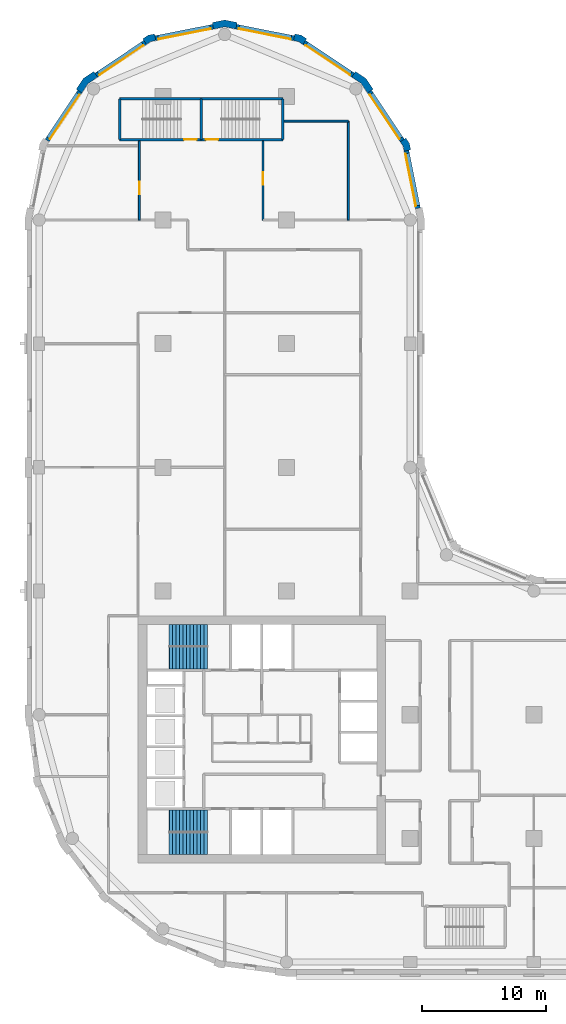
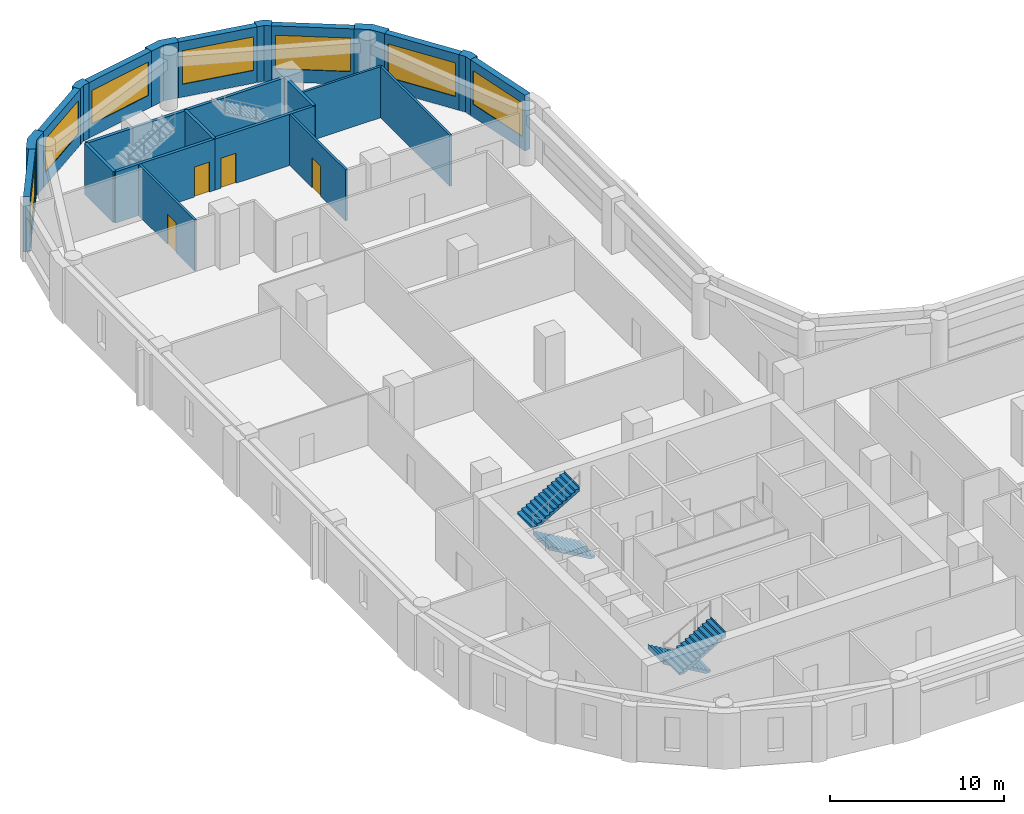
# One storey, part 7 of 10: 24 walls, 7 windows, 4 doors, 4 stair flights, 11 openings, 2 elements without a shape of their own.
"""IFC4 building model written with IfcOpenShell, lengths in metres."""

from ifc_helpers import new_model, si_unit, direction, frame, frame_2d, origin, place, context, subcontext, project, spatial, polyline, rectangle, outline, extrude, material, layer, layer_set, type_object, element, fill, aggregate, save


model = new_model("IFC4")

# Units and contexts
model_context = context("Model", 3, precision=1e-05, world=origin(), true_north=direction((0.0, 1.0)))
body_context = subcontext(model_context, "Body", "Model", "MODEL_VIEW")
ifc_project = project(units=[si_unit("LENGTHUNIT", "METRE"), si_unit("AREAUNIT", "SQUARE_METRE"), si_unit("VOLUMEUNIT", "CUBIC_METRE"), si_unit("PLANEANGLEUNIT", "RADIAN"), si_unit("MASSUNIT", "GRAM", prefix="KILO")], contexts=[model_context])

# Site, building, storey
site_placement = place(None, origin())
site = spatial("IfcSite", under=ifc_project, at=site_placement, CompositionType="ELEMENT")
building_placement = place(site_placement, origin())
building = spatial("IfcBuilding", under=site, at=building_placement, Name="Qaws Garden Tower", CompositionType="ELEMENT")
storey_placement = place(building_placement, frame((0.0, 0.0, 205.800048828125)))
storey = spatial("IfcBuildingStorey", under=building, at=storey_placement, Name="L50", CompositionType="ELEMENT", Elevation=205.800048828125)

# Wall, opening, window
ifc_material_1 = material(Name="Buff clay facing brick masonry", Category="masonry")
ifc_layer_1 = layer(ifc_material_1, 0.39990234375)
ifc_layer_set_1 = layer_set([ifc_layer_1], Name="Buff clay facing brick masonry")
wall_type_1 = type_object("IfcWallType", Name="Buff brick infill wall 400", PredefinedType="SOLIDWALL", material=ifc_layer_set_1)
wall_1_placement = place(storey_placement, frame((30.628662109375, 60.940673828125, 0.0), z_axis=(0.0, 0.0, 1.0), x_axis=(-0.195098533057, 0.98078364709, 0.0)))
wall_1 = element("IfcWall", 1, at=wall_1_placement, inside=storey, type_object=wall_type_1, Name="E-L50-infill-13", PredefinedType="SOLIDWALL", context=body_context, shape_type="SweptSolid", body=[
    extrude(rectangle(XDim=4.752685546875, YDim=0.39990234375, at=frame_2d((2.37646484375, 0.0))), origin(), (0.0, 0.0, 1.0), 3.89990234375),
])
opening_1_placement = place(wall_1_placement, frame((0.226318359375, 0.0, 0.89990234375)))
opening_1 = element("IfcOpeningElement", 2, at=opening_1_placement, cuts=wall_1, Name="Opening W06", PredefinedType="OPENING", context=body_context, shape_type="SweptSolid", body=[
    extrude(rectangle(XDim=4.300048828125, YDim=2.35009765625, at=frame_2d((2.14990234375, 1.175048828125))), frame((0.0, 0.2099609375, 0.0), z_axis=(0.0, -1.0, 0.0), x_axis=(1.0, 0.0, 0.0)), (0.0, 0.0, 1.0), 0.419921875),
])
ifc_material_2 = material(Name="Aluminium framed window, clear glazing", Category="aluminium")
window_type = type_object("IfcWindowType", Name="Ribbon window 4300 x 2350", PartitioningType="DOUBLE_PANEL_VERTICAL", PredefinedType="WINDOW", material=ifc_material_2)
window_1_placement = place(opening_1_placement, origin())
window_1 = element("IfcWindow", 3, at=window_1_placement, inside=storey, type_object=window_type, Name="E-L50-window-13-0", OverallHeight=2.35009765625, OverallWidth=4.300048828125, PartitioningType="SINGLE_PANEL", PredefinedType="WINDOW", context=body_context, shape_type="SweptSolid", body=[
    extrude(rectangle(XDim=4.300048828125, YDim=2.35009765625, at=frame_2d((2.14990234375, 1.175048828125))), frame((0.0, 0.159912109375, 0.0), z_axis=(0.0, -1.0, 0.0), x_axis=(1.0, 0.0, 0.0)), (0.0, 0.0, 1.0), 0.06005859375),
])
fill(opening_1, window_1)

wall_2_placement = place(storey_placement, frame((29.356689453125, 66.43408203125, 0.0), z_axis=(0.0, 0.0, 1.0), x_axis=(-0.555541552266, 0.831488775454, 0.0)))
wall_2 = element("IfcWall", 4, at=wall_2_placement, inside=storey, type_object=wall_type_1, Name="E-L50-infill-14", PredefinedType="SOLIDWALL", context=body_context, shape_type="SweptSolid", body=[
    extrude(rectangle(XDim=4.752685546875, YDim=0.39990234375, at=frame_2d((2.37646484375, 0.0))), origin(), (0.0, 0.0, 1.0), 3.89990234375),
])
opening_2_placement = place(wall_2_placement, frame((0.226318359375, 0.0, 0.89990234375)))
opening_2 = element("IfcOpeningElement", 5, at=opening_2_placement, cuts=wall_2, Name="Opening W06", PredefinedType="OPENING", context=body_context, shape_type="SweptSolid", body=[
    extrude(rectangle(XDim=4.300048828125, YDim=2.35009765625, at=frame_2d((2.14990234375, 1.175048828125))), frame((0.0, 0.2099609375, 0.0), z_axis=(0.0, -1.0, 0.0), x_axis=(1.0, 0.0, 0.0)), (0.0, 0.0, 1.0), 0.419921875),
])
window_2_placement = place(opening_2_placement, origin())
window_2 = element("IfcWindow", 6, at=window_2_placement, inside=storey, type_object=window_type, Name="E-L50-window-14-0", OverallHeight=2.35009765625, OverallWidth=4.300048828125, PartitioningType="SINGLE_PANEL", PredefinedType="WINDOW", context=body_context, shape_type="SweptSolid", body=[
    extrude(rectangle(XDim=4.300048828125, YDim=2.35009765625, at=frame_2d((2.14990234375, 1.175048828125))), frame((0.0, 0.159912109375, 0.0), z_axis=(0.0, -1.0, 0.0), x_axis=(1.0, 0.0, 0.0)), (0.0, 0.0, 1.0), 0.06005859375),
])
fill(opening_2, window_2)

wall_3_placement = place(storey_placement, frame((25.385986328125, 71.71630859375, 0.0), z_axis=(0.0, 0.0, 1.0), x_axis=(-0.831488775454, 0.555541552266, 0.0)))
wall_3 = element("IfcWall", 7, at=wall_3_placement, inside=storey, type_object=wall_type_1, Name="E-L50-infill-15", PredefinedType="SOLIDWALL", context=body_context, shape_type="SweptSolid", body=[
    extrude(rectangle(XDim=4.752685546875, YDim=0.39990234375, at=frame_2d((2.37646484375, 0.0))), origin(), (0.0, 0.0, 1.0), 3.89990234375),
])
opening_3_placement = place(wall_3_placement, frame((0.226318359375, 0.0, 0.89990234375)))
opening_3 = element("IfcOpeningElement", 8, at=opening_3_placement, cuts=wall_3, Name="Opening W06", PredefinedType="OPENING", context=body_context, shape_type="SweptSolid", body=[
    extrude(rectangle(XDim=4.300048828125, YDim=2.35009765625, at=frame_2d((2.14990234375, 1.175048828125))), frame((0.0, 0.2099609375, 0.0), z_axis=(0.0, -1.0, 0.0), x_axis=(1.0, 0.0, 0.0)), (0.0, 0.0, 1.0), 0.419921875),
])
window_3_placement = place(opening_3_placement, origin())
window_3 = element("IfcWindow", 9, at=window_3_placement, inside=storey, type_object=window_type, Name="E-L50-window-15-0", OverallHeight=2.35009765625, OverallWidth=4.300048828125, PartitioningType="SINGLE_PANEL", PredefinedType="WINDOW", context=body_context, shape_type="SweptSolid", body=[
    extrude(rectangle(XDim=4.300048828125, YDim=2.35009765625, at=frame_2d((2.14990234375, 1.175048828125))), frame((0.0, 0.159912109375, 0.0), z_axis=(0.0, -1.0, 0.0), x_axis=(1.0, 0.0, 0.0)), (0.0, 0.0, 1.0), 0.06005859375),
])
fill(opening_3, window_3)

wall_4_placement = place(storey_placement, frame((20.60205078125, 74.701416015625, 0.0), z_axis=(0.0, 0.0, 1.0), x_axis=(-0.98078364709, 0.195098533057, 0.0)))
wall_4 = element("IfcWall", 10, at=wall_4_placement, inside=storey, type_object=wall_type_1, Name="E-L50-infill-16", PredefinedType="SOLIDWALL", context=body_context, shape_type="SweptSolid", body=[
    extrude(rectangle(XDim=4.752685546875, YDim=0.39990234375, at=frame_2d((2.37646484375, 0.0))), origin(), (0.0, 0.0, 1.0), 3.89990234375),
])
opening_4_placement = place(wall_4_placement, frame((0.226318359375, 0.0, 0.89990234375)))
opening_4 = element("IfcOpeningElement", 11, at=opening_4_placement, cuts=wall_4, Name="Opening W06", PredefinedType="OPENING", context=body_context, shape_type="SweptSolid", body=[
    extrude(rectangle(XDim=4.300048828125, YDim=2.35009765625, at=frame_2d((2.14990234375, 1.175048828125))), frame((0.0, 0.2099609375, 0.0), z_axis=(0.0, -1.0, 0.0), x_axis=(1.0, 0.0, 0.0)), (0.0, 0.0, 1.0), 0.419921875),
])
window_4_placement = place(opening_4_placement, origin())
window_4 = element("IfcWindow", 12, at=window_4_placement, inside=storey, type_object=window_type, Name="E-L50-window-16-0", OverallHeight=2.35009765625, OverallWidth=4.300048828125, PartitioningType="SINGLE_PANEL", PredefinedType="WINDOW", context=body_context, shape_type="SweptSolid", body=[
    extrude(rectangle(XDim=4.300048828125, YDim=2.35009765625, at=frame_2d((2.14990234375, 1.175048828125))), frame((0.0, 0.159912109375, 0.0), z_axis=(0.0, -1.0, 0.0), x_axis=(1.0, 0.0, 0.0)), (0.0, 0.0, 1.0), 0.06005859375),
])
fill(opening_4, window_4)

wall_5_placement = place(storey_placement, frame((14.059326171875, 75.628662109375, 0.0), z_axis=(0.0, 0.0, 1.0), x_axis=(-0.98078364709, -0.195098533057, 0.0)))
wall_5 = element("IfcWall", 13, at=wall_5_placement, inside=storey, type_object=wall_type_1, Name="E-L50-infill-17", PredefinedType="SOLIDWALL", context=body_context, shape_type="SweptSolid", body=[
    extrude(rectangle(XDim=4.752685546875, YDim=0.39990234375, at=frame_2d((2.37646484375, 0.0))), origin(), (0.0, 0.0, 1.0), 3.89990234375),
])
opening_5_placement = place(wall_5_placement, frame((0.226318359375, 0.0, 0.89990234375)))
opening_5 = element("IfcOpeningElement", 14, at=opening_5_placement, cuts=wall_5, Name="Opening W06", PredefinedType="OPENING", context=body_context, shape_type="SweptSolid", body=[
    extrude(rectangle(XDim=4.300048828125, YDim=2.35009765625, at=frame_2d((2.14990234375, 1.175048828125))), frame((0.0, 0.2099609375, 0.0), z_axis=(0.0, -1.0, 0.0), x_axis=(1.0, 0.0, 0.0)), (0.0, 0.0, 1.0), 0.419921875),
])
window_5_placement = place(opening_5_placement, origin())
window_5 = element("IfcWindow", 15, at=window_5_placement, inside=storey, type_object=window_type, Name="E-L50-window-17-0", OverallHeight=2.35009765625, OverallWidth=4.300048828125, PartitioningType="SINGLE_PANEL", PredefinedType="WINDOW", context=body_context, shape_type="SweptSolid", body=[
    extrude(rectangle(XDim=4.300048828125, YDim=2.35009765625, at=frame_2d((2.14990234375, 1.175048828125))), frame((0.0, 0.159912109375, 0.0), z_axis=(0.0, -1.0, 0.0), x_axis=(1.0, 0.0, 0.0)), (0.0, 0.0, 1.0), 0.06005859375),
])
fill(opening_5, window_5)

wall_6_placement = place(storey_placement, frame((8.56591796875, 74.356689453125, 0.0), z_axis=(0.0, 0.0, 1.0), x_axis=(-0.831488775454, -0.555541552266, 0.0)))
wall_6 = element("IfcWall", 16, at=wall_6_placement, inside=storey, type_object=wall_type_1, Name="E-L50-infill-18", PredefinedType="SOLIDWALL", context=body_context, shape_type="SweptSolid", body=[
    extrude(rectangle(XDim=4.752685546875, YDim=0.39990234375, at=frame_2d((2.37646484375, 0.0))), origin(), (0.0, 0.0, 1.0), 3.89990234375),
])
opening_6_placement = place(wall_6_placement, frame((0.226318359375, 0.0, 0.89990234375)))
opening_6 = element("IfcOpeningElement", 17, at=opening_6_placement, cuts=wall_6, Name="Opening W06", PredefinedType="OPENING", context=body_context, shape_type="SweptSolid", body=[
    extrude(rectangle(XDim=4.300048828125, YDim=2.35009765625, at=frame_2d((2.14990234375, 1.175048828125))), frame((0.0, 0.2099609375, 0.0), z_axis=(0.0, -1.0, 0.0), x_axis=(1.0, 0.0, 0.0)), (0.0, 0.0, 1.0), 0.419921875),
])
window_6_placement = place(opening_6_placement, origin())
window_6 = element("IfcWindow", 18, at=window_6_placement, inside=storey, type_object=window_type, Name="E-L50-window-18-0", OverallHeight=2.35009765625, OverallWidth=4.300048828125, PartitioningType="SINGLE_PANEL", PredefinedType="WINDOW", context=body_context, shape_type="SweptSolid", body=[
    extrude(rectangle(XDim=4.300048828125, YDim=2.35009765625, at=frame_2d((2.14990234375, 1.175048828125))), frame((0.0, 0.159912109375, 0.0), z_axis=(0.0, -1.0, 0.0), x_axis=(1.0, 0.0, 0.0)), (0.0, 0.0, 1.0), 0.06005859375),
])
fill(opening_6, window_6)

wall_7_placement = place(storey_placement, frame((3.28369140625, 70.385986328125, 0.0), z_axis=(0.0, 0.0, 1.0), x_axis=(-0.555541552266, -0.831488775454, 0.0)))
wall_7 = element("IfcWall", 19, at=wall_7_placement, inside=storey, type_object=wall_type_1, Name="E-L50-infill-19", PredefinedType="SOLIDWALL", context=body_context, shape_type="SweptSolid", body=[
    extrude(rectangle(XDim=4.752685546875, YDim=0.39990234375, at=frame_2d((2.37646484375, 0.0))), origin(), (0.0, 0.0, 1.0), 3.89990234375),
])
opening_7_placement = place(wall_7_placement, frame((0.226318359375, 0.0, 0.89990234375)))
opening_7 = element("IfcOpeningElement", 20, at=opening_7_placement, cuts=wall_7, Name="Opening W06", PredefinedType="OPENING", context=body_context, shape_type="SweptSolid", body=[
    extrude(rectangle(XDim=4.300048828125, YDim=2.35009765625, at=frame_2d((2.14990234375, 1.175048828125))), frame((0.0, 0.2099609375, 0.0), z_axis=(0.0, -1.0, 0.0), x_axis=(1.0, 0.0, 0.0)), (0.0, 0.0, 1.0), 0.419921875),
])
window_7_placement = place(opening_7_placement, origin())
window_7 = element("IfcWindow", 21, at=window_7_placement, inside=storey, type_object=window_type, Name="E-L50-window-19-0", OverallHeight=2.35009765625, OverallWidth=4.300048828125, PartitioningType="SINGLE_PANEL", PredefinedType="WINDOW", context=body_context, shape_type="SweptSolid", body=[
    extrude(rectangle(XDim=4.300048828125, YDim=2.35009765625, at=frame_2d((2.14990234375, 1.175048828125))), frame((0.0, 0.159912109375, 0.0), z_axis=(0.0, -1.0, 0.0), x_axis=(1.0, 0.0, 0.0)), (0.0, 0.0, 1.0), 0.06005859375),
])
fill(opening_7, window_7)

# Walls
ifc_material_3 = material(Name="Buff clay facing brick masonry", Category="masonry")
ifc_layer_2 = layer(ifc_material_3, 0.550048828125)
ifc_layer_set_2 = layer_set([ifc_layer_2], Name="Buff clay facing brick masonry")
wall_type_2 = type_object("IfcWallType", Name="Buff brick kink pier 550 x 600", PredefinedType="SOLIDWALL", material=ifc_layer_set_2)
placement = place(storey_placement, origin())
element("IfcWall", 22, at=placement, inside=storey, type_object=wall_type_2, Name="E-L50-pier-14", PredefinedType="SOLIDWALL", context=body_context, shape_type="SweptSolid", body=[
    extrude(outline(polyline([(29.8974609375, 65.64111328125), (30.044677734375, 65.67041015625), (29.94140625, 66.18896484375), (29.647705078125, 66.628662109375), (29.52294921875, 66.545166015625), (29.1904296875, 66.322998046875), (29.42333984375, 65.974365234375), (29.505126953125, 65.56298828125), (29.8974609375, 65.64111328125)])), origin(), (0.0, 0.0, 1.0), 3.89990234375),
])
element("IfcWall", 23, at=placement, inside=storey, type_object=wall_type_2, Name="E-L50-pier-16", PredefinedType="SOLIDWALL", context=body_context, shape_type="SweptSolid", body=[
    extrude(outline(polyline([(21.545166015625, 74.52294921875), (21.628662109375, 74.647705078125), (21.18896484375, 74.94140625), (20.67041015625, 75.044677734375), (20.64111328125, 74.8974609375), (20.56298828125, 74.505126953125), (20.974365234375, 74.42333984375), (21.322998046875, 74.1904296875), (21.545166015625, 74.52294921875)])), origin(), (0.0, 0.0, 1.0), 3.89990234375),
])
element("IfcWall", 24, at=placement, inside=storey, type_object=wall_type_2, Name="E-L50-pier-18", PredefinedType="SOLIDWALL", context=body_context, shape_type="SweptSolid", body=[
    extrude(outline(polyline([(9.35888671875, 74.8974609375), (9.32958984375, 75.044677734375), (8.81103515625, 74.94140625), (8.371337890625, 74.647705078125), (8.454833984375, 74.52294921875), (8.677001953125, 74.1904296875), (9.025634765625, 74.42333984375), (9.43701171875, 74.505126953125), (9.35888671875, 74.8974609375)])), origin(), (0.0, 0.0, 1.0), 3.89990234375),
])
ifc_material_4 = material(Name="Buff clay facing brick masonry", Category="masonry")
ifc_layer_3 = layer(ifc_material_4, 0.550048828125)
ifc_layer_set_3 = layer_set([ifc_layer_3], Name="Buff clay facing brick masonry")
wall_type_3 = type_object("IfcWallType", Name="Buff brick pier 550 x 1600", PredefinedType="SOLIDWALL", material=ifc_layer_set_3)
element("IfcWall", 25, at=placement, inside=storey, type_object=wall_type_3, Name="E-L50-pier-15", PredefinedType="SOLIDWALL", context=body_context, shape_type="SweptSolid", body=[
    extrude(outline(polyline([(26.882568359375, 70.4970703125), (27.00732421875, 70.580322265625), (26.435791015625, 71.435791015625), (25.580322265625, 72.00732421875), (25.4970703125, 71.882568359375), (25.274658203125, 71.550048828125), (26.0390625, 71.0390625), (26.550048828125, 70.274658203125), (26.882568359375, 70.4970703125)])), origin(), (0.0, 0.0, 1.0), 3.89990234375),
])
element("IfcWall", 26, at=placement, inside=storey, type_object=wall_type_3, Name="E-L50-pier-17", PredefinedType="SOLIDWALL", context=body_context, shape_type="SweptSolid", body=[
    extrude(outline(polyline([(15.979736328125, 75.82470703125), (16.009033203125, 75.971923828125), (15.0, 76.172607421875), (13.990966796875, 75.971923828125), (14.020263671875, 75.82470703125), (14.098388671875, 75.432373046875), (15.0, 75.61181640625), (15.901611328125, 75.432373046875), (15.979736328125, 75.82470703125)])), origin(), (0.0, 0.0, 1.0), 3.89990234375),
])
element("IfcWall", 27, at=placement, inside=storey, type_object=wall_type_3, Name="E-L50-pier-19", PredefinedType="SOLIDWALL", context=body_context, shape_type="SweptSolid", body=[
    extrude(outline(polyline([(4.5029296875, 71.882568359375), (4.419677734375, 72.00732421875), (3.564208984375, 71.435791015625), (2.99267578125, 70.580322265625), (3.117431640625, 70.4970703125), (3.449951171875, 70.274658203125), (3.9609375, 71.0390625), (4.725341796875, 71.550048828125), (4.5029296875, 71.882568359375)])), origin(), (0.0, 0.0, 1.0), 3.89990234375),
])

# Wall, opening, door
ifc_material_5 = material(Name="Concrete C70", Category="concrete")
ifc_layer_4 = layer(ifc_material_5, 0.199951171875)
ifc_layer_set_4 = layer_set([ifc_layer_4], Name="Concrete C70")
wall_type_4 = type_object("IfcWallType", Name="Core shaft wall 200 C70", PredefinedType="SHEAR", material=ifc_layer_set_4)
wall_14_placement = place(storey_placement, frame((6.5, 66.5, 0.0), z_axis=(0.0, 0.0, 1.0), x_axis=(1.0, 0.0, 0.0)))
wall_14 = element("IfcWall", 28, at=wall_14_placement, inside=storey, type_object=wall_type_4, Name="Shaft wall", PredefinedType="SHEAR", context=body_context, shape_type="SweptSolid", body=[
    extrude(rectangle(XDim=6.60009765625, YDim=0.199951171875, at=frame_2d((3.300048828125, 0.0))), origin(), (0.0, 0.0, 1.0), 3.579833984375),
])
opening_8_placement = place(wall_14_placement, frame((5.22509765625, 0.0, 0.0)))
opening_8 = element("IfcOpeningElement", 29, at=opening_8_placement, cuts=wall_14, Name="Opening SD13", PredefinedType="OPENING", context=body_context, shape_type="SweptSolid", body=[
    extrude(rectangle(XDim=1.0, YDim=2.10009765625, at=frame_2d((0.5, 1.050048828125))), frame((0.0, 0.10986328125, 0.0), z_axis=(0.0, -1.0, 0.0), x_axis=(1.0, 0.0, 0.0)), (0.0, 0.0, 1.0), 0.219970703125),
])
ifc_material_6 = material(Name="Steel S235", Category="steel")
door_type_1 = type_object("IfcDoorType", Name="Stair door 1000x2100", OperationType="SINGLE_SWING_RIGHT", PredefinedType="DOOR", material=ifc_material_6)
door_1_placement = place(opening_8_placement, origin())
door_1 = element("IfcDoor", 30, at=door_1_placement, inside=storey, type_object=door_type_1, Name="Stair 6 door", OperationType="SINGLE_SWING_RIGHT", OverallHeight=2.10009765625, OverallWidth=1.0, PredefinedType="DOOR", context=body_context, shape_type="SweptSolid", body=[
    extrude(rectangle(XDim=1.0, YDim=2.10009765625, at=frame_2d((0.5, 1.050048828125))), frame((0.0, 0.02490234375, 0.0), z_axis=(0.0, -1.0, 0.0), x_axis=(1.0, 0.0, 0.0)), (0.0, 0.0, 1.0), 0.050048828125),
])
fill(opening_8, door_1)

wall_15_placement = place(storey_placement, frame((13.10009765625, 66.5, 0.0), z_axis=(0.0, 0.0, 1.0), x_axis=(1.0, 0.0, 0.0)))
wall_15 = element("IfcWall", 31, at=wall_15_placement, inside=storey, type_object=wall_type_4, Name="Shaft wall", PredefinedType="SHEAR", context=body_context, shape_type="SweptSolid", body=[
    extrude(rectangle(XDim=6.599853515625, YDim=0.199951171875, at=frame_2d((3.2998046875, 0.0))), origin(), (0.0, 0.0, 1.0), 3.579833984375),
])
opening_9_placement = place(wall_15_placement, frame((0.375, 0.0, 0.0)))
opening_9 = element("IfcOpeningElement", 32, at=opening_9_placement, cuts=wall_15, Name="Opening SD14", PredefinedType="OPENING", context=body_context, shape_type="SweptSolid", body=[
    extrude(rectangle(XDim=1.0, YDim=2.10009765625, at=frame_2d((0.5, 1.050048828125))), frame((0.0, 0.10986328125, 0.0), z_axis=(0.0, -1.0, 0.0), x_axis=(1.0, 0.0, 0.0)), (0.0, 0.0, 1.0), 0.219970703125),
])
door_2_placement = place(opening_9_placement, origin())
door_2 = element("IfcDoor", 33, at=door_2_placement, inside=storey, type_object=door_type_1, Name="Stair 7 door", OperationType="SINGLE_SWING_LEFT", OverallHeight=2.10009765625, OverallWidth=1.0, PredefinedType="DOOR", context=body_context, shape_type="SweptSolid", body=[
    extrude(rectangle(XDim=1.0, YDim=2.10009765625, at=frame_2d((0.5, 1.050048828125))), frame((0.0, 0.02490234375, 0.0), z_axis=(0.0, -1.0, 0.0), x_axis=(1.0, 0.0, 0.0)), (0.0, 0.0, 1.0), 0.050048828125),
])
fill(opening_9, door_2)

# Walls
wall_16_placement = place(storey_placement, frame((6.5, 69.800048828125, 0.0), z_axis=(0.0, 0.0, 1.0), x_axis=(1.0, 0.0, 0.0)))
element("IfcWall", 34, at=wall_16_placement, inside=storey, type_object=wall_type_4, Name="Shaft wall", PredefinedType="SHEAR", context=body_context, shape_type="SweptSolid", body=[
    extrude(rectangle(XDim=6.60009765625, YDim=0.199951171875, at=frame_2d((3.300048828125, 0.0))), origin(), (0.0, 0.0, 1.0), 3.579833984375),
])
wall_17_placement = place(storey_placement, frame((13.10009765625, 69.800048828125, 0.0), z_axis=(0.0, 0.0, 1.0), x_axis=(1.0, 0.0, 0.0)))
element("IfcWall", 35, at=wall_17_placement, inside=storey, type_object=wall_type_4, Name="Shaft wall", PredefinedType="SHEAR", context=body_context, shape_type="SweptSolid", body=[
    extrude(rectangle(XDim=6.599853515625, YDim=0.199951171875, at=frame_2d((3.2998046875, 0.0))), origin(), (0.0, 0.0, 1.0), 3.579833984375),
])
for number, where, z_axis, x_axis, name in (
    (36, (6.5, 66.5, 0.0), (0.0, 0.0, 1.0), (0.0, 1.0, 0.0), "Shaft wall"),
    (37, (13.10009765625, 66.5, 0.0), (0.0, 0.0, 1.0), (0.0, 1.0, 0.0), "Shaft wall"),
    (38, (19.699951171875, 66.5, 0.0), (0.0, 0.0, 1.0), (0.0, 1.0, 0.0), "Shaft wall"),
):
    element("IfcWall", number, at=place(storey_placement, frame(where, z_axis=z_axis, x_axis=x_axis)), inside=storey, type_object=wall_type_4, Name=name, PredefinedType="SHEAR", context=body_context, shape_type="SweptSolid", body=[
        extrude(rectangle(XDim=3.300048828125, YDim=0.199951171875, at=frame_2d((1.64990234375, 0.0))), origin(), (0.0, 0.0, 1.0), 3.579833984375),
    ])

# Wall, opening, door
ifc_material_7 = material(Name="Gypsum board partition")
ifc_layer_5 = layer(ifc_material_7, 0.14990234375)
ifc_layer_set_5 = layer_set([ifc_layer_5], Name="Gypsum board partition")
wall_type_5 = type_object("IfcWallType", Name="PARTITION 150 EI 60", PredefinedType="PARTITIONING", material=ifc_layer_set_5)
wall_18_placement = place(storey_placement, frame((8.10009765625, 60.0, 0.0), z_axis=(0.0, 0.0, 1.0), x_axis=(0.0, 1.0, 0.0)))
wall_18 = element("IfcWall", 39, at=wall_18_placement, inside=storey, type_object=wall_type_5, Name="O-L50-wall-012", PredefinedType="PARTITIONING", context=body_context, shape_type="SweptSolid", body=[
    extrude(rectangle(XDim=6.39990234375, YDim=0.14990234375, at=frame_2d((3.199951171875, 0.0))), origin(), (0.0, 0.0, 1.0), 3.579833984375),
])
opening_10_placement = place(wall_18_placement, frame((2.10009765625, 0.0, 0.0)))
opening_10 = element("IfcOpeningElement", 40, at=opening_10_placement, cuts=wall_18, Name="Opening B712", PredefinedType="OPENING", context=body_context, shape_type="SweptSolid", body=[
    extrude(rectangle(XDim=1.0, YDim=2.10009765625, at=frame_2d((0.5, 1.050048828125))), frame((0.0, 0.0849609375, 0.0), z_axis=(0.0, -1.0, 0.0), x_axis=(1.0, 0.0, 0.0)), (0.0, 0.0, 1.0), 0.169921875),
])
ifc_material_8 = material(Name="Timber door leaf", Category="wood")
door_type_2 = type_object("IfcDoorType", Name="TENANCY ENTRANCE DOOR 1000 X 2100", OperationType="SINGLE_SWING_LEFT", PredefinedType="DOOR", material=ifc_material_8)
door_3_placement = place(opening_10_placement, origin())
door_3 = element("IfcDoor", 41, at=door_3_placement, inside=storey, type_object=door_type_2, Name="O-L50-door-012", OperationType="SINGLE_SWING_LEFT", OverallHeight=2.10009765625, OverallWidth=1.0, PredefinedType="DOOR", context=body_context, shape_type="SweptSolid", body=[
    extrude(rectangle(XDim=1.0, YDim=2.10009765625, at=frame_2d((0.5, 1.050048828125))), frame((0.0, 0.02490234375, 0.0), z_axis=(0.0, -1.0, 0.0), x_axis=(1.0, 0.0, 0.0)), (0.0, 0.0, 1.0), 0.050048828125),
])
fill(opening_10, door_3)

wall_19_placement = place(storey_placement, frame((18.10009765625, 60.0, 0.0), z_axis=(0.0, 0.0, 1.0), x_axis=(0.0, 1.0, 0.0)))
wall_19 = element("IfcWall", 42, at=wall_19_placement, inside=storey, type_object=wall_type_5, Name="O-L50-wall-016", PredefinedType="PARTITIONING", context=body_context, shape_type="SweptSolid", body=[
    extrude(rectangle(XDim=6.39990234375, YDim=0.14990234375, at=frame_2d((3.199951171875, 0.0))), origin(), (0.0, 0.0, 1.0), 3.579833984375),
])
opening_11_placement = place(wall_19_placement, frame((2.85009765625, 0.0, 0.0)))
opening_11 = element("IfcOpeningElement", 43, at=opening_11_placement, cuts=wall_19, Name="Opening B713", PredefinedType="OPENING", context=body_context, shape_type="SweptSolid", body=[
    extrude(rectangle(XDim=1.0, YDim=2.10009765625, at=frame_2d((0.5, 1.050048828125))), frame((0.0, 0.0849609375, 0.0), z_axis=(0.0, -1.0, 0.0), x_axis=(1.0, 0.0, 0.0)), (0.0, 0.0, 1.0), 0.169921875),
])
door_4_placement = place(opening_11_placement, frame((1.0, 0.0, 0.0), z_axis=(0.0, 0.0, 1.0), x_axis=(-1.0, 0.0, 0.0)))
door_4 = element("IfcDoor", 44, at=door_4_placement, inside=storey, type_object=door_type_2, Name="O-L50-door-013", OperationType="SINGLE_SWING_RIGHT", OverallHeight=2.10009765625, OverallWidth=1.0, PredefinedType="DOOR", context=body_context, shape_type="SweptSolid", body=[
    extrude(rectangle(XDim=1.0, YDim=2.10009765625, at=frame_2d((0.5, 1.050048828125))), frame((0.0, 0.02490234375, 0.0), z_axis=(0.0, -1.0, 0.0), x_axis=(1.0, 0.0, 0.0)), (0.0, 0.0, 1.0), 0.050048828125),
])
fill(opening_11, door_4)

# Walls
wall_20_placement = place(storey_placement, frame((25.0, 60.0, 0.0), z_axis=(0.0, 0.0, 1.0), x_axis=(0.0, 1.0, 0.0)))
element("IfcWall", 45, at=wall_20_placement, inside=storey, type_object=wall_type_5, Name="O-L50-wall-018", PredefinedType="PARTITIONING", context=body_context, shape_type="SweptSolid", body=[
    extrude(rectangle(XDim=8.0, YDim=0.14990234375, at=frame_2d((4.0, 0.0))), origin(), (0.0, 0.0, 1.0), 3.579833984375),
])
wall_21_placement = place(storey_placement, frame((19.800048828125, 68.0, 0.0), z_axis=(0.0, 0.0, 1.0), x_axis=(1.0, 0.0, 0.0)))
element("IfcWall", 46, at=wall_21_placement, inside=storey, type_object=wall_type_5, Name="O-L50-wall-062", PredefinedType="PARTITIONING", context=body_context, shape_type="SweptSolid", body=[
    extrude(rectangle(XDim=5.199951171875, YDim=0.14990234375, at=frame_2d((2.60009765625, 0.0))), origin(), (0.0, 0.0, 1.0), 3.579833984375),
])

# Stair, stair flights
ifc_material_9 = material(Name="Concrete C40", Category="concrete")
stair_type = type_object("IfcStairType", Name="Exit stair 1500", PredefinedType="HALF_TURN_STAIR", material=ifc_material_9)
stair_1 = element("IfcStair", 47, at=placement, inside=storey, type_object=stair_type, Name="Stair 1", PredefinedType="HALF_TURN_STAIR")
ifc_material_10 = material(Name="Concrete C40", Category="concrete")
stair_flight_type = type_object("IfcStairFlightType", Name="Stair flight 1500", PredefinedType="STRAIGHT", material=ifc_material_10)
stair_flight_1_placement = place(storey_placement, frame((13.60009765625, 11.39990234375, 0.0), z_axis=(0.0, 0.0, 1.0), x_axis=(-1.0, 0.0, 0.0)))
stair_flight_1 = element("IfcStairFlight", 48, at=stair_flight_1_placement, type_object=stair_flight_type, Name="ST1 flight 1", NumberOfRisers=12, NumberOfTreads=11, PredefinedType="STRAIGHT", RiserHeight=0.1625, TreadLength=0.28, context=body_context, shape_type="SweptSolid", body=[
    extrude(outline(polyline([(-0.0029296875, 0.0), (-0.0029296875, 0.16259765625), (0.0, 0.16259765625), (0.280029296875, 0.16259765625), (0.280029296875, 0.324951171875), (0.56005859375, 0.324951171875), (0.56005859375, 0.487548828125), (0.840087890625, 0.487548828125), (0.840087890625, 0.64990234375), (1.1201171875, 0.64990234375), (1.1201171875, 0.8125), (1.39990234375, 0.8125), (1.39990234375, 0.97509765625), (1.679931640625, 0.97509765625), (1.679931640625, 1.137451171875), (1.9599609375, 1.137451171875), (1.9599609375, 1.300048828125), (2.239990234375, 1.300048828125), (2.239990234375, 1.46240234375), (2.52001953125, 1.46240234375), (2.52001953125, 1.625), (2.800048828125, 1.625), (2.800048828125, 1.78759765625), (3.080078125, 1.78759765625), (3.080078125, 1.949951171875), (3.0830078125, 1.949951171875), (3.0830078125, 1.6142578125), (3.080078125, 1.6142578125), (0.298583984375, 0.0), (-0.0029296875, 0.0)])), frame((0.0, 0.89990234375, 0.0), z_axis=(0.0, -1.0, 0.0), x_axis=(1.0, 0.0, 0.0)), (0.0, 0.0, 1.0), 1.800048828125),
])
stair_flight_2_placement = place(storey_placement, frame((10.52001953125, 9.60009765625, 1.949951171875), z_axis=(0.0, 0.0, 1.0), x_axis=(1.0, 0.0, 0.0)))
stair_flight_2 = element("IfcStairFlight", 49, at=stair_flight_2_placement, type_object=stair_flight_type, Name="ST1 flight 2", NumberOfRisers=12, NumberOfTreads=11, PredefinedType="STRAIGHT", RiserHeight=0.1625, TreadLength=0.28, context=body_context, shape_type="SweptSolid", body=[
    extrude(outline(polyline([(-0.0029296875, 0.0), (-0.0029296875, 0.16259765625), (0.0, 0.16259765625), (0.280029296875, 0.16259765625), (0.280029296875, 0.324951171875), (0.56005859375, 0.324951171875), (0.56005859375, 0.487548828125), (0.840087890625, 0.487548828125), (0.840087890625, 0.64990234375), (1.1201171875, 0.64990234375), (1.1201171875, 0.8125), (1.39990234375, 0.8125), (1.39990234375, 0.97509765625), (1.679931640625, 0.97509765625), (1.679931640625, 1.137451171875), (1.9599609375, 1.137451171875), (1.9599609375, 1.300048828125), (2.239990234375, 1.300048828125), (2.239990234375, 1.46240234375), (2.52001953125, 1.46240234375), (2.52001953125, 1.625), (2.800048828125, 1.625), (2.800048828125, 1.78759765625), (3.080078125, 1.78759765625), (3.080078125, 1.949951171875), (3.0830078125, 1.949951171875), (3.0830078125, 1.6142578125), (3.080078125, 1.6142578125), (0.298583984375, 0.0), (-0.0029296875, 0.0)])), frame((0.0, 0.89990234375, 0.0), z_axis=(0.0, -1.0, 0.0), x_axis=(1.0, 0.0, 0.0)), (0.0, 0.0, 1.0), 1.800048828125),
])
aggregate(stair_1, [stair_flight_1, stair_flight_2])

stair_2 = element("IfcStair", 50, at=placement, inside=storey, type_object=stair_type, Name="Stair 4", PredefinedType="HALF_TURN_STAIR")
stair_flight_3_placement = place(storey_placement, frame((13.60009765625, 24.60009765625, 0.0), z_axis=(0.0, 0.0, 1.0), x_axis=(-1.0, 0.0, 0.0)))
stair_flight_3 = element("IfcStairFlight", 51, at=stair_flight_3_placement, type_object=stair_flight_type, Name="ST4 flight 1", NumberOfRisers=12, NumberOfTreads=11, PredefinedType="STRAIGHT", RiserHeight=0.1625, TreadLength=0.28, context=body_context, shape_type="SweptSolid", body=[
    extrude(outline(polyline([(-0.0029296875, 0.0), (-0.0029296875, 0.16259765625), (0.0, 0.16259765625), (0.280029296875, 0.16259765625), (0.280029296875, 0.324951171875), (0.56005859375, 0.324951171875), (0.56005859375, 0.487548828125), (0.840087890625, 0.487548828125), (0.840087890625, 0.64990234375), (1.1201171875, 0.64990234375), (1.1201171875, 0.8125), (1.39990234375, 0.8125), (1.39990234375, 0.97509765625), (1.679931640625, 0.97509765625), (1.679931640625, 1.137451171875), (1.9599609375, 1.137451171875), (1.9599609375, 1.300048828125), (2.239990234375, 1.300048828125), (2.239990234375, 1.46240234375), (2.52001953125, 1.46240234375), (2.52001953125, 1.625), (2.800048828125, 1.625), (2.800048828125, 1.78759765625), (3.080078125, 1.78759765625), (3.080078125, 1.949951171875), (3.0830078125, 1.949951171875), (3.0830078125, 1.6142578125), (3.080078125, 1.6142578125), (0.298583984375, 0.0), (-0.0029296875, 0.0)])), frame((0.0, 0.89501953125, 0.0), z_axis=(0.0, -1.0, 0.0), x_axis=(1.0, 0.0, 0.0)), (0.0, 0.0, 1.0), 1.7900390625),
])
stair_flight_4_placement = place(storey_placement, frame((10.52001953125, 26.39990234375, 1.949951171875), z_axis=(0.0, 0.0, 1.0), x_axis=(1.0, 0.0, 0.0)))
stair_flight_4 = element("IfcStairFlight", 52, at=stair_flight_4_placement, type_object=stair_flight_type, Name="ST4 flight 2", NumberOfRisers=12, NumberOfTreads=11, PredefinedType="STRAIGHT", RiserHeight=0.1625, TreadLength=0.28, context=body_context, shape_type="SweptSolid", body=[
    extrude(outline(polyline([(-0.0029296875, 0.0), (-0.0029296875, 0.16259765625), (0.0, 0.16259765625), (0.280029296875, 0.16259765625), (0.280029296875, 0.324951171875), (0.56005859375, 0.324951171875), (0.56005859375, 0.487548828125), (0.840087890625, 0.487548828125), (0.840087890625, 0.64990234375), (1.1201171875, 0.64990234375), (1.1201171875, 0.8125), (1.39990234375, 0.8125), (1.39990234375, 0.97509765625), (1.679931640625, 0.97509765625), (1.679931640625, 1.137451171875), (1.9599609375, 1.137451171875), (1.9599609375, 1.300048828125), (2.239990234375, 1.300048828125), (2.239990234375, 1.46240234375), (2.52001953125, 1.46240234375), (2.52001953125, 1.625), (2.800048828125, 1.625), (2.800048828125, 1.78759765625), (3.080078125, 1.78759765625), (3.080078125, 1.949951171875), (3.0830078125, 1.949951171875), (3.0830078125, 1.6142578125), (3.080078125, 1.6142578125), (0.298583984375, 0.0), (-0.0029296875, 0.0)])), frame((0.0, 0.89501953125, 0.0), z_axis=(0.0, -1.0, 0.0), x_axis=(1.0, 0.0, 0.0)), (0.0, 0.0, 1.0), 1.7900390625),
])
aggregate(stair_2, [stair_flight_3, stair_flight_4])

save(model, "model.ifc")
